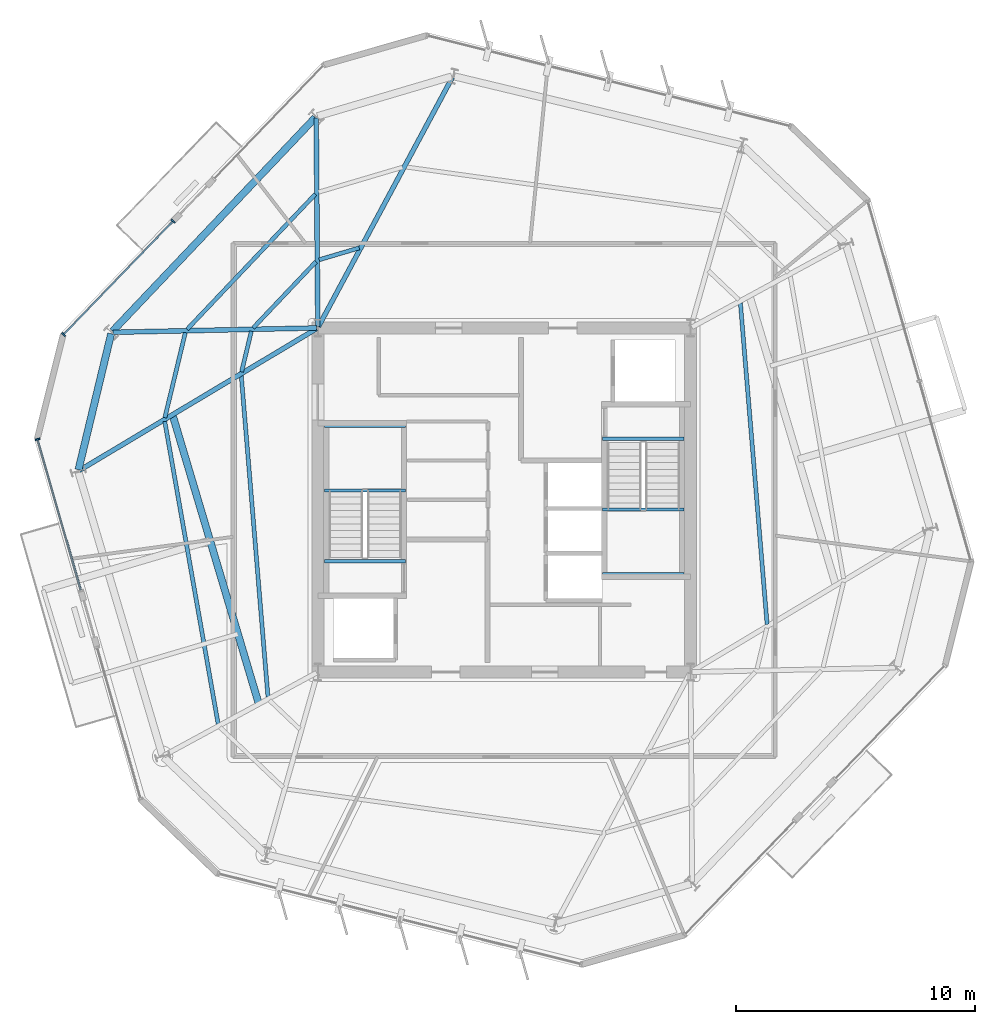
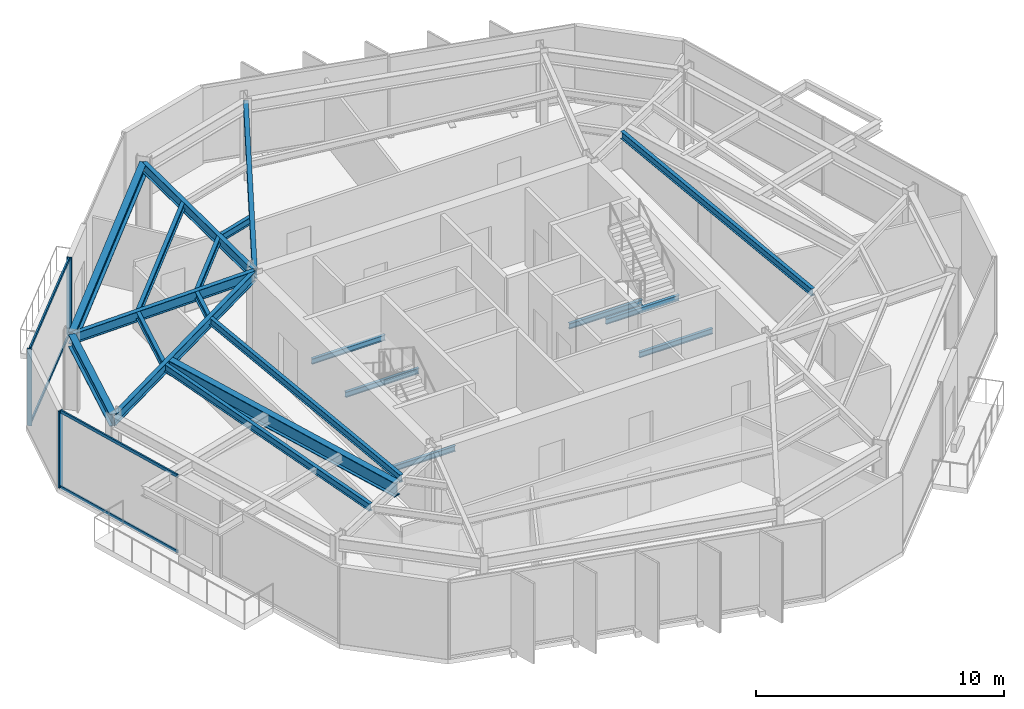
# One storey, part 3 of 11: 21 beams, 7 members, 2 elements without a shape of their own.
"""IFC4 building model written with IfcOpenShell, lengths in metres."""

from ifc_helpers import new_model, si_unit, direction, frame, origin, origin_2d, place, context, subcontext, project, spatial, rectangle, i_section, extrude, material, layer, layer_set, material_profile, profile_set, type_object, element, aggregate, save


model = new_model("IFC4")

# Units and contexts
model_context = context("Model", 3, precision=1e-05, world=origin(), true_north=direction((0.0, 1.0)))
body_context = subcontext(model_context, "Body", "Model", "MODEL_VIEW")
ifc_project = project(units=[si_unit("LENGTHUNIT", "METRE"), si_unit("AREAUNIT", "SQUARE_METRE"), si_unit("VOLUMEUNIT", "CUBIC_METRE"), si_unit("PLANEANGLEUNIT", "RADIAN"), si_unit("MASSUNIT", "GRAM", prefix="KILO")], contexts=[model_context])

# Site, building, storey
site_placement = place(None, origin())
site = spatial("IfcSite", under=ifc_project, at=site_placement, CompositionType="ELEMENT")
building_placement = place(site_placement, origin())
building = spatial("IfcBuilding", under=site, at=building_placement, Name="Kranzbogen Civic Tower", CompositionType="ELEMENT")
storey_placement = place(building_placement, frame((0.0, 0.0, 208.800048828125)))
storey = spatial("IfcBuildingStorey", under=building, at=storey_placement, Name="L50", CompositionType="ELEMENT", Elevation=208.800048828125)

# Curtain wall, members
ifc_material_1 = material(Name="Pale Anodised Aluminium", Category="aluminium")
ifc_layer = layer(ifc_material_1, 0.219970703125, Name="Pale Anodised Aluminium")
ifc_layer_set = layer_set([ifc_layer], Name="Pale Anodised Aluminium")
curtain_wall_type = type_object("IfcCurtainWallType", Name="Zone 3 Stick Curtain Wall System CW-04", PredefinedType="USERDEFINED", material=ifc_layer_set)
curtain_wall_1_placement = place(storey_placement, origin())
curtain_wall_1 = element("IfcCurtainWall", 1, at=curtain_wall_1_placement, inside=storey, type_object=curtain_wall_type, Name="L50 curtain wall CW-L50-F2-S2", ObjectType="STICK CURTAIN WALL", PredefinedType="USERDEFINED")
ifc_material_profile_1 = material_profile(ifc_material_1, rectangle(XDim=0.070068359375, YDim=0.199951171875, at=origin_2d()), Name="ALU-M 70x200")
ifc_profile_set_1 = profile_set([ifc_material_profile_1], Name="Pale Anodised Aluminium")
member_type_1 = type_object("IfcMemberType", Name="Curtain Wall Mullion ALU-M 70x200", PredefinedType="MULLION", material=ifc_profile_set_1)
member_1_placement = place(storey_placement, frame((11.146240234375, 36.66943359375, 0.0), z_axis=(0.0, 0.0, 1.0), x_axis=(-0.694677640583, -0.719321190897, 0.0)))
member_1 = element("IfcMember", 2, at=member_1_placement, type_object=member_type_1, Name="CW-04 mullion 1", PredefinedType="MULLION", context=body_context, shape_type="SweptSolid", body=[
    extrude(rectangle(XDim=0.070068359375, YDim=0.199951171875, at=origin_2d()), origin(), (0.0, 0.0, 1.0), 3.780029296875),
])
member_2_placement = place(storey_placement, frame((6.56494140625, 31.925537109375, 0.0), z_axis=(0.0, 0.0, 1.0), x_axis=(-0.694677640583, -0.719321190897, 0.0)))
member_2 = element("IfcMember", 3, at=member_2_placement, type_object=member_type_1, Name="CW-04 mullion 2", PredefinedType="MULLION", context=body_context, shape_type="SweptSolid", body=[
    extrude(rectangle(XDim=0.070068359375, YDim=0.199951171875, at=origin_2d()), origin(), (0.0, 0.0, 1.0), 3.780029296875),
])

# Curtain wall, member
curtain_wall_2_placement = place(storey_placement, origin())
curtain_wall_2 = element("IfcCurtainWall", 4, at=curtain_wall_2_placement, inside=storey, type_object=curtain_wall_type, Name="L50 curtain wall CW-L50-F3-S1", ObjectType="STICK CURTAIN WALL", PredefinedType="USERDEFINED")
member_3_placement = place(storey_placement, frame((5.47216796875, 27.540283203125, 0.0), z_axis=(0.0, 0.0, 1.0), x_axis=(0.275594278919, -0.961274046996, 0.0)))
member_3 = element("IfcMember", 5, at=member_3_placement, type_object=member_type_1, Name="CW-04 mullion 1", PredefinedType="MULLION", context=body_context, shape_type="SweptSolid", body=[
    extrude(rectangle(XDim=0.070068359375, YDim=0.199951171875, at=origin_2d()), origin(), (0.0, 0.0, 1.0), 3.780029296875),
])

# Member
ifc_material_profile_2 = material_profile(ifc_material_1, rectangle(XDim=0.070068359375, YDim=0.14990234375, at=origin_2d()), Name="ALU-T 70x150")
ifc_profile_set_2 = profile_set([ifc_material_profile_2], Name="Pale Anodised Aluminium")
member_type_2 = type_object("IfcMemberType", Name="Curtain Wall Transom ALU-T 70x150", PredefinedType="USERDEFINED", material=ifc_profile_set_2)
member_4_placement = place(storey_placement, frame((11.125244140625, 36.64794921875, 0.030029296875), z_axis=(-0.694670517161, -0.719328070207, 0.0), x_axis=(0.719328070207, -0.694670517161, 0.0)))
member_4 = element("IfcMember", 6, at=member_4_placement, type_object=member_type_2, Name="CW-04 transom 1.1", ObjectType="TRANSOM", PredefinedType="USERDEFINED", context=body_context, shape_type="SweptSolid", body=[
    extrude(rectangle(XDim=0.070068359375, YDim=0.14990234375, at=origin_2d()), origin(), (0.0, 0.0, 1.0), 6.534912109375),
])

member_5_placement = place(storey_placement, frame((11.125244140625, 36.64794921875, 3.75), z_axis=(-0.694670517161, -0.719328070207, 0.0), x_axis=(0.719328070207, -0.694670517161, 0.0)))
member_5 = element("IfcMember", 7, at=member_5_placement, type_object=member_type_2, Name="CW-04 transom 1.2", ObjectType="TRANSOM", PredefinedType="USERDEFINED", context=body_context, shape_type="SweptSolid", body=[
    extrude(rectangle(XDim=0.070068359375, YDim=0.14990234375, at=origin_2d()), origin(), (0.0, 0.0, 1.0), 6.534912109375),
])

aggregate(curtain_wall_1, [member_1, member_2, member_4, member_5])

member_6_placement = place(storey_placement, frame((5.48046875, 27.51123046875, 0.030029296875), z_axis=(0.275614155426, -0.96126834824, 0.0), x_axis=(0.96126834824, 0.275614155426, 0.0)))
member_6 = element("IfcMember", 8, at=member_6_placement, type_object=member_type_2, Name="CW-04 transom 1.1", ObjectType="TRANSOM", PredefinedType="USERDEFINED", context=body_context, shape_type="SweptSolid", body=[
    extrude(rectangle(XDim=0.070068359375, YDim=0.14990234375, at=origin_2d()), origin(), (0.0, 0.0, 1.0), 6.53466796875),
])

member_7_placement = place(storey_placement, frame((5.48046875, 27.51123046875, 3.75), z_axis=(0.275614155426, -0.96126834824, 0.0), x_axis=(0.96126834824, 0.275614155426, 0.0)))
member_7 = element("IfcMember", 9, at=member_7_placement, type_object=member_type_2, Name="CW-04 transom 1.2", ObjectType="TRANSOM", PredefinedType="USERDEFINED", context=body_context, shape_type="SweptSolid", body=[
    extrude(rectangle(XDim=0.070068359375, YDim=0.14990234375, at=origin_2d()), origin(), (0.0, 0.0, 1.0), 6.53466796875),
])

aggregate(curtain_wall_2, [member_3, member_6, member_7])

# Beams
ifc_material_2 = material(Name="Steel S355", Category="steel")
ifc_material_profile_3 = material_profile(ifc_material_2, i_section(OverallWidth=0.300048828125, OverallDepth=0.60009765625, WebThickness=0.015380859375, FlangeThickness=0.030029296875, at=origin_2d()), Name="HEB 600")
ifc_profile_set_3 = profile_set([ifc_material_profile_3], Name="Steel S355")
beam_type_1 = type_object("IfcBeamType", Name="Perimeter Tube Spandrel Beam HEB 600", PredefinedType="SPANDREL", material=ifc_profile_set_3)
beam_1_placement = place(storey_placement, frame((17.092041015625, 41.0, 3.47998046875), z_axis=(-0.688373497874, -0.725356414065, 0.0), x_axis=(0.725356414065, -0.688373497874, 0.0)))
element("IfcBeam", 10, at=beam_1_placement, inside=storey, type_object=beam_type_1, Name="L50 perimeter spandrel beam 10", PredefinedType="SPANDREL", context=body_context, shape_type="SweptSolid", body=[
    extrude(i_section(OverallWidth=0.300048828125, OverallDepth=0.60009765625, WebThickness=0.015380859375, FlangeThickness=0.030029296875, at=origin_2d()), origin(), (0.0, 0.0, 1.0), 12.324951171875),
])
beam_2_placement = place(storey_placement, frame((8.552978515625, 31.9580078125, 3.47998046875), z_axis=(-0.233554380434, -0.972343741369, 0.0), x_axis=(0.972343741369, -0.233554380434, 0.0)))
element("IfcBeam", 11, at=beam_2_placement, inside=storey, type_object=beam_type_1, Name="L50 perimeter spandrel beam 11", PredefinedType="SPANDREL", context=body_context, shape_type="SweptSolid", body=[
    extrude(i_section(OverallWidth=0.300048828125, OverallDepth=0.60009765625, WebThickness=0.015380859375, FlangeThickness=0.030029296875, at=origin_2d()), origin(), (0.0, 0.0, 1.0), 5.852783203125),
])
ifc_material_profile_4 = material_profile(ifc_material_2, i_section(OverallWidth=0.300048828125, OverallDepth=0.699951171875, WebThickness=0.01708984375, FlangeThickness=0.031982421875, at=origin_2d()), Name="HEB 700")
ifc_profile_set_4 = profile_set([ifc_material_profile_4], Name="Steel S355")
beam_type_2 = type_object("IfcBeamType", Name="Perimeter Tube Spandrel Beam HEB 700", PredefinedType="SPANDREL", material=ifc_profile_set_4)
beam_3_placement = place(storey_placement, frame((11.12109375, 28.568115234375, 3.39990234375), z_axis=(0.285870808606, -0.95826816747, 0.0), x_axis=(0.95826816747, 0.285870808606, 0.0)))
element("IfcBeam", 12, at=beam_3_placement, inside=storey, type_object=beam_type_2, Name="L51 balcony back-span header girder L51-TB1", PredefinedType="SPANDREL", context=body_context, shape_type="SweptSolid", body=[
    extrude(i_section(OverallWidth=0.300048828125, OverallDepth=0.699951171875, WebThickness=0.01708984375, FlangeThickness=0.031982421875, at=origin_2d()), origin(), (0.0, 0.0, 1.0), 12.634521484375),
])
ifc_material_profile_5 = material_profile(ifc_material_2, i_section(OverallWidth=0.199951171875, OverallDepth=0.5, WebThickness=0.01025390625, FlangeThickness=0.01611328125, at=origin_2d()), Name="IPE 500")
ifc_profile_set_5 = profile_set([ifc_material_profile_5], Name="Steel S355")
beam_type_3 = type_object("IfcBeamType", Name="Radial Tower Floor Girder IPE 500", PredefinedType="BEAM", material=ifc_profile_set_5)
beam_4_placement = place(storey_placement, frame((22.83203125, 42.68701171875, 3.530029296875), z_axis=(-0.473160413549, -0.880976289721, 0.0), x_axis=(0.880976289721, -0.473160413549, 0.0)))
element("IfcBeam", 13, at=beam_4_placement, inside=storey, type_object=beam_type_3, Name="L50 radial floor girder 09", PredefinedType="BEAM", context=body_context, shape_type="SweptSolid", body=[
    extrude(i_section(OverallWidth=0.199951171875, OverallDepth=0.5, WebThickness=0.01025390625, FlangeThickness=0.01611328125, at=origin_2d()), origin(), (0.0, 0.0, 1.0), 11.84375),
])
beam_5_placement = place(storey_placement, frame((17.133056640625, 40.98388671875, 3.530029296875), z_axis=(0.007667756557, -0.999970602323, 0.0), x_axis=(0.999970602323, 0.007667756557, 0.0)))
element("IfcBeam", 14, at=beam_5_placement, inside=storey, type_object=beam_type_3, Name="L50 radial floor girder 10", PredefinedType="BEAM", context=body_context, shape_type="SweptSolid", body=[
    extrude(i_section(OverallWidth=0.199951171875, OverallDepth=0.5, WebThickness=0.01025390625, FlangeThickness=0.01611328125, at=origin_2d()), origin(), (0.0, 0.0, 1.0), 8.72412109375),
])
beam_6_placement = place(storey_placement, frame((8.626953125, 32.01708984375, 3.530029296875), z_axis=(0.99977183191, 0.021360808018, 0.0), x_axis=(-0.021360808018, 0.99977183191, 0.0)))
element("IfcBeam", 15, at=beam_6_placement, inside=storey, type_object=beam_type_3, Name="L50 radial floor girder 11", PredefinedType="BEAM", context=body_context, shape_type="SweptSolid", body=[
    extrude(i_section(OverallWidth=0.199951171875, OverallDepth=0.5, WebThickness=0.01025390625, FlangeThickness=0.01611328125, at=origin_2d()), origin(), (0.0, 0.0, 1.0), 8.514892578125),
])
beam_7_placement = place(storey_placement, frame((7.22412109375, 26.239990234375, 3.530029296875), z_axis=(0.858458551809, 0.512882944565, 0.0), x_axis=(-0.512882944565, 0.858458551809, 0.0)))
element("IfcBeam", 16, at=beam_7_placement, inside=storey, type_object=beam_type_3, Name="L50 radial floor girder 12", PredefinedType="BEAM", context=body_context, shape_type="SweptSolid", body=[
    extrude(i_section(OverallWidth=0.199951171875, OverallDepth=0.5, WebThickness=0.01025390625, FlangeThickness=0.01611328125, at=origin_2d()), origin(), (0.0, 0.0, 1.0), 11.56005859375),
])
ifc_material_profile_6 = material_profile(ifc_material_2, i_section(OverallWidth=0.169921875, OverallDepth=0.360107421875, WebThickness=0.008056640625, FlangeThickness=0.0126953125, at=origin_2d()), Name="IPE 360")
ifc_profile_set_6 = profile_set([ifc_material_profile_6], Name="Steel S355")
beam_type_4 = type_object("IfcBeamType", Name="Secondary Composite Floor Joist IPE 360", PredefinedType="JOIST", material=ifc_profile_set_6)
beam_8_placement = place(storey_placement, frame((36.001953125, 19.797119140625, 3.599853515625), z_axis=(-0.082825426692, 0.996564071544, 0.0), x_axis=(-0.996564071544, -0.082825426692, 0.0)))
element("IfcBeam", 17, at=beam_8_placement, inside=storey, type_object=beam_type_4, Name="L50 secondary floor joist 2.06", PredefinedType="JOIST", context=body_context, shape_type="SweptSolid", body=[
    extrude(i_section(OverallWidth=0.169921875, OverallDepth=0.360107421875, WebThickness=0.008056640625, FlangeThickness=0.0126953125, at=origin_2d()), origin(), (0.0, 0.0, 1.0), 13.497314453125),
])
beam_9_placement = place(storey_placement, frame((18.93408203125, 35.550048828125, 3.599853515625), z_axis=(-0.958871214757, -0.283841493638, 0.0), x_axis=(0.283841493638, -0.958871214757, 0.0)))
element("IfcBeam", 18, at=beam_9_placement, inside=storey, type_object=beam_type_4, Name="L50 secondary floor joist 2.09", PredefinedType="JOIST", context=body_context, shape_type="SweptSolid", body=[
    extrude(i_section(OverallWidth=0.169921875, OverallDepth=0.360107421875, WebThickness=0.008056640625, FlangeThickness=0.0126953125, at=origin_2d()), origin(), (0.0, 0.0, 1.0), 1.751220703125),
])
beam_10_placement = place(storey_placement, frame((17.10205078125, 37.802001953125, 3.599853515625), z_axis=(-0.688282381634, -0.725442873789, 0.0), x_axis=(0.725442873789, -0.688282381634, 0.0)))
element("IfcBeam", 19, at=beam_10_placement, inside=storey, type_object=beam_type_4, Name="L50 secondary floor joist 1.10", PredefinedType="JOIST", context=body_context, shape_type="SweptSolid", body=[
    extrude(i_section(OverallWidth=0.169921875, OverallDepth=0.360107421875, WebThickness=0.008056640625, FlangeThickness=0.0126953125, at=origin_2d()), origin(), (0.0, 0.0, 1.0), 7.804931640625),
])
beam_11_placement = place(storey_placement, frame((17.123046875, 34.971923828125, 3.599853515625), z_axis=(-0.688175084876, -0.725544659243, 0.0), x_axis=(0.725544659243, -0.688175084876, 0.0)))
element("IfcBeam", 20, at=beam_11_placement, inside=storey, type_object=beam_type_4, Name="L50 secondary floor joist 2.10", PredefinedType="JOIST", context=body_context, shape_type="SweptSolid", body=[
    extrude(i_section(OverallWidth=0.169921875, OverallDepth=0.360107421875, WebThickness=0.008056640625, FlangeThickness=0.0126953125, at=origin_2d()), origin(), (0.0, 0.0, 1.0), 3.82177734375),
])
beam_12_placement = place(storey_placement, frame((11.656005859375, 32.00390625, 3.599853515625), z_axis=(-0.233534367714, -0.972348548154, 0.0), x_axis=(0.972348548154, -0.233534367714, 0.0)))
element("IfcBeam", 21, at=beam_12_placement, inside=storey, type_object=beam_type_4, Name="L50 secondary floor joist 1.11", PredefinedType="JOIST", context=body_context, shape_type="SweptSolid", body=[
    extrude(i_section(OverallWidth=0.169921875, OverallDepth=0.360107421875, WebThickness=0.008056640625, FlangeThickness=0.0126953125, at=origin_2d()), origin(), (0.0, 0.0, 1.0), 3.6611328125),
])
beam_13_placement = place(storey_placement, frame((14.4189453125, 32.06298828125, 3.599853515625), z_axis=(-0.233631438607, -0.972325228972, 0.0), x_axis=(0.972325228972, -0.233631438607, 0.0)))
element("IfcBeam", 22, at=beam_13_placement, inside=storey, type_object=beam_type_4, Name="L50 secondary floor joist 2.11", PredefinedType="JOIST", context=body_context, shape_type="SweptSolid", body=[
    extrude(i_section(OverallWidth=0.169921875, OverallDepth=0.360107421875, WebThickness=0.008056640625, FlangeThickness=0.0126953125, at=origin_2d()), origin(), (0.0, 0.0, 1.0), 1.750244140625),
])
beam_14_placement = place(storey_placement, frame((10.7958984375, 28.287109375, 3.599853515625), z_axis=(0.173805911364, -0.984779927281, 0.0), x_axis=(0.984779927281, 0.173805911364, 0.0)))
element("IfcBeam", 23, at=beam_14_placement, inside=storey, type_object=beam_type_4, Name="L50 secondary floor joist 1.12", PredefinedType="JOIST", context=body_context, shape_type="SweptSolid", body=[
    extrude(i_section(OverallWidth=0.169921875, OverallDepth=0.360107421875, WebThickness=0.008056640625, FlangeThickness=0.0126953125, at=origin_2d()), origin(), (0.0, 0.0, 1.0), 12.85986328125),
])
beam_15_placement = place(storey_placement, frame((13.998046875, 30.202880859375, 3.599853515625), z_axis=(0.082825426692, -0.996564071544, 0.0), x_axis=(0.996564071544, 0.082825426692, 0.0)))
element("IfcBeam", 24, at=beam_15_placement, inside=storey, type_object=beam_type_4, Name="L50 secondary floor joist 2.12", PredefinedType="JOIST", context=body_context, shape_type="SweptSolid", body=[
    extrude(i_section(OverallWidth=0.169921875, OverallDepth=0.360107421875, WebThickness=0.008056640625, FlangeThickness=0.0126953125, at=origin_2d()), origin(), (0.0, 0.0, 1.0), 13.497314453125),
])
ifc_material_profile_7 = material_profile(ifc_material_2, i_section(OverallWidth=0.135009765625, OverallDepth=0.27001953125, WebThickness=0.006591796875, FlangeThickness=0.01025390625, at=origin_2d()), Name="IPE 270")
ifc_profile_set_7 = profile_set([ifc_material_profile_7], Name="Steel S355")
beam_type_5 = type_object("IfcBeamType", Name="Stair Landing Support Beam IPE 270", PredefinedType="JOIST", material=ifc_profile_set_7)
for number, where, z_axis, x_axis, name in (
    (25, (20.8798828125, 22.43994140625, -0.35498046875), (-1.0, 0.0, 0.0), (0.0, -1.0, 0.0), "L50 ST-T1 stair floor header beam"),
    (26, (20.8798828125, 25.39990234375, 1.6650390625), (-1.0, 0.0, 0.0), (0.0, -1.0, 0.0), "L50 ST-T1 landing support beam 1.1"),
    (27, (20.8798828125, 28.10009765625, 1.6650390625), (-1.0, 0.0, 0.0), (0.0, -1.0, 0.0), "L50 ST-T1 landing support beam 1.2"),
    (28, (29.1201171875, 27.56005859375, -0.35498046875), (1.0, 0.0, 0.0), (0.0, 1.0, 0.0), "L50 ST-T2 stair floor header beam"),
    (29, (29.1201171875, 24.60009765625, 1.6650390625), (1.0, 0.0, 0.0), (0.0, 1.0, 0.0), "L50 ST-T2 landing support beam 1.1"),
    (30, (29.1201171875, 21.89990234375, 1.6650390625), (1.0, 0.0, 0.0), (0.0, 1.0, 0.0), "L50 ST-T2 landing support beam 1.2"),
):
    element("IfcBeam", number, at=place(storey_placement, frame(where, z_axis=z_axis, x_axis=x_axis)), inside=storey, type_object=beam_type_5, Name=name, PredefinedType="JOIST", context=body_context, shape_type="SweptSolid", body=[
        extrude(i_section(OverallWidth=0.135009765625, OverallDepth=0.27001953125, WebThickness=0.006591796875, FlangeThickness=0.01025390625, at=origin_2d()), origin(), (0.0, 0.0, 1.0), 3.409912109375),
    ])

save(model, "model.ifc")
